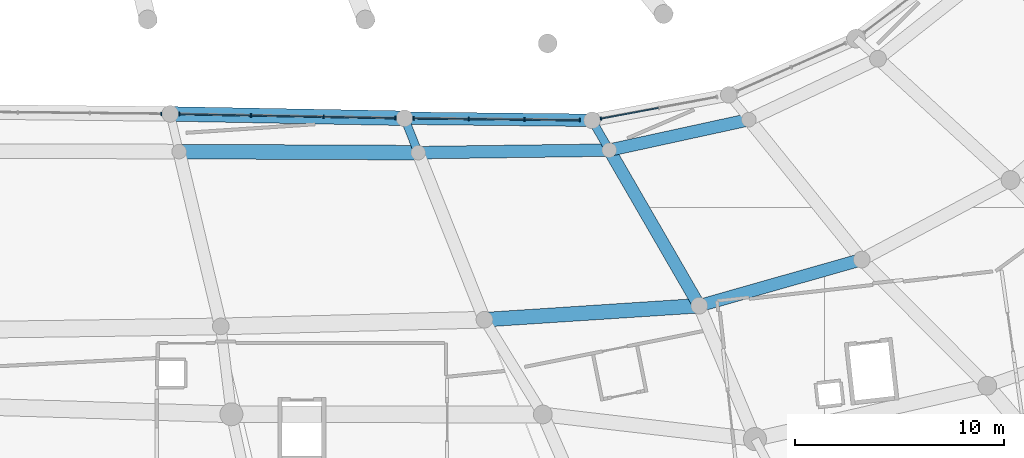
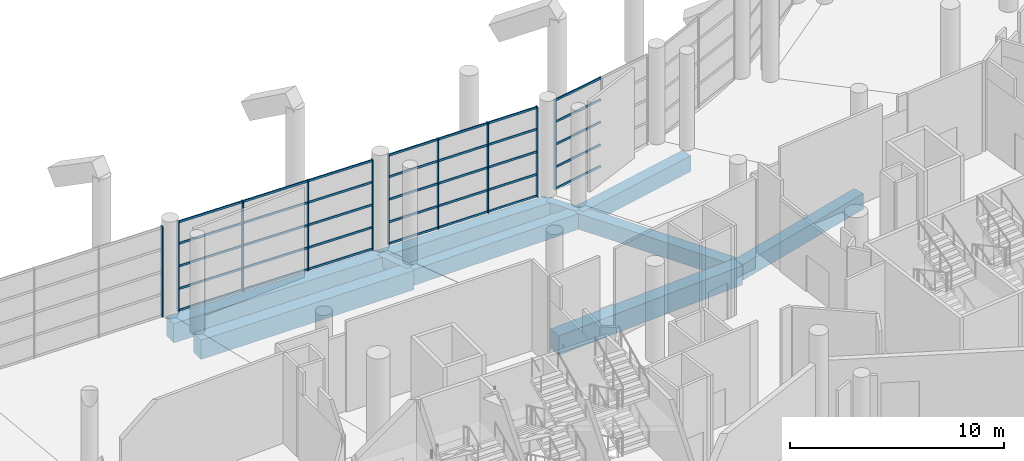
# One storey, part 44 of 271: 45 members, 10 beams, 4 elements without a shape of their own.
"""IFC4 building model written with IfcOpenShell, lengths in metres."""

from ifc_helpers import new_model, si_unit, direction, frame, origin, origin_2d, place, context, subcontext, project, spatial, rectangle, extrude, material, layer, layer_set, material_profile, profile_set, type_object, element, aggregate, save


model = new_model("IFC4")

# Units and contexts
model_context = context("Model", 3, precision=1e-05, world=origin(), true_north=direction((0.0, 1.0)))
body_context = subcontext(model_context, "Body", "Model", "MODEL_VIEW")
ifc_project = project(units=[si_unit("LENGTHUNIT", "METRE"), si_unit("AREAUNIT", "SQUARE_METRE"), si_unit("VOLUMEUNIT", "CUBIC_METRE"), si_unit("PLANEANGLEUNIT", "RADIAN"), si_unit("MASSUNIT", "GRAM", prefix="KILO")], contexts=[model_context])

# Site, building, storey
site_placement = place(None, origin())
site = spatial("IfcSite", under=ifc_project, at=site_placement, CompositionType="ELEMENT")
building_placement = place(site_placement, origin())
building = spatial("IfcBuilding", under=site, at=building_placement, Name="Meseta Stadium", CompositionType="ELEMENT")
storey_placement = place(building_placement, frame((0.0, 0.0, 6.5)))
storey = spatial("IfcBuildingStorey", under=building, at=storey_placement, Name="L01", CompositionType="ELEMENT", Elevation=6.5)

# Curtain wall, member
ifc_material_1 = material(Name="Aluminium", Category="aluminium")
ifc_layer = layer(ifc_material_1, 0.199951171875)
ifc_layer_set = layer_set([ifc_layer], Name="Club glazing curtain wall")
curtain_wall_type = type_object("IfcCurtainWallType", Name="Club glazing curtain wall", PredefinedType="NOTDEFINED", material=ifc_layer_set)
curtain_wall_1_placement = place(storey_placement, origin())
curtain_wall_1 = element("IfcCurtainWall", 1, at=curtain_wall_1_placement, inside=storey, type_object=curtain_wall_type, Name="Club glazing bay 47", PredefinedType="NOTDEFINED")
ifc_material_2 = material(Name="Aluminium", Category="aluminium")
ifc_material_profile_1 = material_profile(ifc_material_2, rectangle(XDim=0.159912109375, YDim=0.06005859375, at=origin_2d()), Name="CW 160x60")
ifc_profile_set_1 = profile_set([ifc_material_profile_1], Name="Aluminium")
member_type_1 = type_object("IfcMemberType", Name="CW mullion 60x160", PredefinedType="MULLION", material=ifc_profile_set_1)
member_1_placement = place(storey_placement, frame((16.267578125, -75.52490234375, 0.0), z_axis=(0.0, 0.0, 1.0), x_axis=(0.010278991253, 0.999947169774, 0.0)))
member_1 = element("IfcMember", 2, at=member_1_placement, type_object=member_type_1, Name="CWC mullion 4", PredefinedType="MULLION", context=body_context, shape_type="SweptSolid", body=[
    extrude(rectangle(XDim=0.159912109375, YDim=0.06005859375, at=origin_2d()), origin(), (0.0, 0.0, 1.0), 5.14990234375),
])
aggregate(curtain_wall_1, [member_1])

# Curtain wall, members
curtain_wall_2_placement = place(storey_placement, origin())
curtain_wall_2 = element("IfcCurtainWall", 3, at=curtain_wall_2_placement, inside=storey, type_object=curtain_wall_type, Name="Club glazing bay 48", PredefinedType="NOTDEFINED")
member_2_placement = place(storey_placement, frame((17.127197265625, -75.537353515625, 0.0), z_axis=(0.0, 0.0, 1.0), x_axis=(0.018383858671, 0.99983100259, 0.0)))
member_2 = element("IfcMember", 4, at=member_2_placement, type_object=member_type_1, Name="CWC mullion 1", PredefinedType="MULLION", context=body_context, shape_type="SweptSolid", body=[
    extrude(rectangle(XDim=0.159912109375, YDim=0.06005859375, at=origin_2d()), origin(), (0.0, 0.0, 1.0), 5.14990234375),
])
member_3_placement = place(storey_placement, frame((20.568603515625, -75.6005859375, 0.0), z_axis=(0.0, 0.0, 1.0), x_axis=(0.018383858671, 0.99983100259, 0.0)))
member_3 = element("IfcMember", 5, at=member_3_placement, type_object=member_type_1, Name="CWC mullion 2", PredefinedType="MULLION", context=body_context, shape_type="SweptSolid", body=[
    extrude(rectangle(XDim=0.159912109375, YDim=0.06005859375, at=origin_2d()), origin(), (0.0, 0.0, 1.0), 5.14990234375),
])
member_4_placement = place(storey_placement, frame((24.0400390625, -75.66455078125, 0.0), z_axis=(0.0, 0.0, 1.0), x_axis=(0.018383858671, 0.99983100259, 0.0)))
member_4 = element("IfcMember", 6, at=member_4_placement, type_object=member_type_1, Name="CWC mullion 3", PredefinedType="MULLION", context=body_context, shape_type="SweptSolid", body=[
    extrude(rectangle(XDim=0.159912109375, YDim=0.06005859375, at=origin_2d()), origin(), (0.0, 0.0, 1.0), 5.14990234375),
])
member_5_placement = place(storey_placement, frame((27.4814453125, -75.727783203125, 0.0), z_axis=(0.0, 0.0, 1.0), x_axis=(0.018383858671, 0.99983100259, 0.0)))
member_5 = element("IfcMember", 7, at=member_5_placement, type_object=member_type_1, Name="CWC mullion 4", PredefinedType="MULLION", context=body_context, shape_type="SweptSolid", body=[
    extrude(rectangle(XDim=0.159912109375, YDim=0.06005859375, at=origin_2d()), origin(), (0.0, 0.0, 1.0), 5.14990234375),
])

curtain_wall_3_placement = place(storey_placement, origin())
curtain_wall_3 = element("IfcCurtainWall", 8, at=curtain_wall_3_placement, inside=storey, type_object=curtain_wall_type, Name="Club glazing bay 49", PredefinedType="NOTDEFINED")
member_6_placement = place(storey_placement, frame((28.3408203125, -75.740234375, 0.0), z_axis=(0.0, 0.0, 1.0), x_axis=(0.010842515481, 0.999941218201, 0.0)))
member_6 = element("IfcMember", 9, at=member_6_placement, type_object=member_type_1, Name="CWC mullion 1", PredefinedType="MULLION", context=body_context, shape_type="SweptSolid", body=[
    extrude(rectangle(XDim=0.159912109375, YDim=0.06005859375, at=origin_2d()), origin(), (0.0, 0.0, 1.0), 5.14990234375),
])
member_7_placement = place(storey_placement, frame((30.983642578125, -75.76904296875, 0.0), z_axis=(0.0, 0.0, 1.0), x_axis=(0.010842515481, 0.999941218201, 0.0)))
member_7 = element("IfcMember", 10, at=member_7_placement, type_object=member_type_1, Name="CWC mullion 2", PredefinedType="MULLION", context=body_context, shape_type="SweptSolid", body=[
    extrude(rectangle(XDim=0.159912109375, YDim=0.06005859375, at=origin_2d()), origin(), (0.0, 0.0, 1.0), 5.14990234375),
])
member_8_placement = place(storey_placement, frame((33.656494140625, -75.7978515625, 0.0), z_axis=(0.0, 0.0, 1.0), x_axis=(0.010842515481, 0.999941218201, 0.0)))
member_8 = element("IfcMember", 11, at=member_8_placement, type_object=member_type_1, Name="CWC mullion 3", PredefinedType="MULLION", context=body_context, shape_type="SweptSolid", body=[
    extrude(rectangle(XDim=0.159912109375, YDim=0.06005859375, at=origin_2d()), origin(), (0.0, 0.0, 1.0), 5.14990234375),
])
member_9_placement = place(storey_placement, frame((36.29931640625, -75.82666015625, 0.0), z_axis=(0.0, 0.0, 1.0), x_axis=(0.010842515481, 0.999941218201, 0.0)))
member_9 = element("IfcMember", 12, at=member_9_placement, type_object=member_type_1, Name="CWC mullion 4", PredefinedType="MULLION", context=body_context, shape_type="SweptSolid", body=[
    extrude(rectangle(XDim=0.159912109375, YDim=0.06005859375, at=origin_2d()), origin(), (0.0, 0.0, 1.0), 5.14990234375),
])

# Curtain wall, member
curtain_wall_4_placement = place(storey_placement, origin())
curtain_wall_4 = element("IfcCurtainWall", 13, at=curtain_wall_4_placement, inside=storey, type_object=curtain_wall_type, Name="Club glazing bay 50", PredefinedType="NOTDEFINED")
member_10_placement = place(storey_placement, frame((37.308349609375, -75.75439453125, 0.0), z_axis=(0.0, 0.0, 1.0), x_axis=(-0.182600324962, 0.983187225977, 0.0)))
member_10 = element("IfcMember", 14, at=member_10_placement, type_object=member_type_1, Name="CWC mullion 1", PredefinedType="MULLION", context=body_context, shape_type="SweptSolid", body=[
    extrude(rectangle(XDim=0.159912109375, YDim=0.06005859375, at=origin_2d()), origin(), (0.0, 0.0, 1.0), 5.14990234375),
])

# Member
ifc_material_3 = material(Name="Aluminium", Category="aluminium")
ifc_material_profile_2 = material_profile(ifc_material_3, rectangle(XDim=0.06005859375, YDim=0.1201171875, at=origin_2d()), Name="CW 60x120")
ifc_profile_set_2 = profile_set([ifc_material_profile_2], Name="Aluminium")
member_type_2 = type_object("IfcMemberType", Name="CW transom 60x120", PredefinedType="USERDEFINED", material=ifc_profile_set_2)
member_11_placement = place(storey_placement, frame((17.1572265625, -75.537841796875, 0.06005859375), z_axis=(0.99983055045, -0.018408432517, 0.0), x_axis=(0.018408432517, 0.99983055045, 0.0)))
member_11 = element("IfcMember", 15, at=member_11_placement, type_object=member_type_2, Name="CWC transom 1.1", ObjectType="TRANSOM", PredefinedType="USERDEFINED", context=body_context, shape_type="SweptSolid", body=[
    extrude(rectangle(XDim=0.06005859375, YDim=0.1201171875, at=origin_2d()), origin(), (0.0, 0.0, 1.0), 3.3818359375),
])

member_12_placement = place(storey_placement, frame((17.1572265625, -75.537841796875, 1.28759765625), z_axis=(0.99983055045, -0.018408432517, 0.0), x_axis=(0.018408432517, 0.99983055045, 0.0)))
member_12 = element("IfcMember", 16, at=member_12_placement, type_object=member_type_2, Name="CWC transom 1.2", ObjectType="TRANSOM", PredefinedType="USERDEFINED", context=body_context, shape_type="SweptSolid", body=[
    extrude(rectangle(XDim=0.06005859375, YDim=0.1201171875, at=origin_2d()), origin(), (0.0, 0.0, 1.0), 3.3818359375),
])

member_13_placement = place(storey_placement, frame((17.1572265625, -75.537841796875, 2.574951171875), z_axis=(0.99983055045, -0.018408432517, 0.0), x_axis=(0.018408432517, 0.99983055045, 0.0)))
member_13 = element("IfcMember", 17, at=member_13_placement, type_object=member_type_2, Name="CWC transom 1.3", ObjectType="TRANSOM", PredefinedType="USERDEFINED", context=body_context, shape_type="SweptSolid", body=[
    extrude(rectangle(XDim=0.06005859375, YDim=0.1201171875, at=origin_2d()), origin(), (0.0, 0.0, 1.0), 3.3818359375),
])

member_14_placement = place(storey_placement, frame((17.1572265625, -75.537841796875, 3.862548828125), z_axis=(0.99983055045, -0.018408432517, 0.0), x_axis=(0.018408432517, 0.99983055045, 0.0)))
member_14 = element("IfcMember", 18, at=member_14_placement, type_object=member_type_2, Name="CWC transom 1.4", ObjectType="TRANSOM", PredefinedType="USERDEFINED", context=body_context, shape_type="SweptSolid", body=[
    extrude(rectangle(XDim=0.06005859375, YDim=0.1201171875, at=origin_2d()), origin(), (0.0, 0.0, 1.0), 3.3818359375),
])

member_15_placement = place(storey_placement, frame((17.1572265625, -75.537841796875, 5.090087890625), z_axis=(0.99983055045, -0.018408432517, 0.0), x_axis=(0.018408432517, 0.99983055045, 0.0)))
member_15 = element("IfcMember", 19, at=member_15_placement, type_object=member_type_2, Name="CWC transom 1.5", ObjectType="TRANSOM", PredefinedType="USERDEFINED", context=body_context, shape_type="SweptSolid", body=[
    extrude(rectangle(XDim=0.06005859375, YDim=0.1201171875, at=origin_2d()), origin(), (0.0, 0.0, 1.0), 3.3818359375),
])

member_16_placement = place(storey_placement, frame((20.5986328125, -75.60107421875, 0.06005859375), z_axis=(0.999830898772, -0.018389504114, 0.0), x_axis=(0.018389504114, 0.999830898772, 0.0)))
member_16 = element("IfcMember", 20, at=member_16_placement, type_object=member_type_2, Name="CWC transom 2.1", ObjectType="TRANSOM", PredefinedType="USERDEFINED", context=body_context, shape_type="SweptSolid", body=[
    extrude(rectangle(XDim=0.06005859375, YDim=0.1201171875, at=origin_2d()), origin(), (0.0, 0.0, 1.0), 3.411865234375),
])

member_17_placement = place(storey_placement, frame((20.5986328125, -75.60107421875, 1.28759765625), z_axis=(0.999830898772, -0.018389504114, 0.0), x_axis=(0.018389504114, 0.999830898772, 0.0)))
member_17 = element("IfcMember", 21, at=member_17_placement, type_object=member_type_2, Name="CWC transom 2.2", ObjectType="TRANSOM", PredefinedType="USERDEFINED", context=body_context, shape_type="SweptSolid", body=[
    extrude(rectangle(XDim=0.06005859375, YDim=0.1201171875, at=origin_2d()), origin(), (0.0, 0.0, 1.0), 3.411865234375),
])

member_18_placement = place(storey_placement, frame((20.5986328125, -75.60107421875, 2.574951171875), z_axis=(0.999830898772, -0.018389504114, 0.0), x_axis=(0.018389504114, 0.999830898772, 0.0)))
member_18 = element("IfcMember", 22, at=member_18_placement, type_object=member_type_2, Name="CWC transom 2.3", ObjectType="TRANSOM", PredefinedType="USERDEFINED", context=body_context, shape_type="SweptSolid", body=[
    extrude(rectangle(XDim=0.06005859375, YDim=0.1201171875, at=origin_2d()), origin(), (0.0, 0.0, 1.0), 3.411865234375),
])

member_19_placement = place(storey_placement, frame((20.5986328125, -75.60107421875, 3.862548828125), z_axis=(0.999830898772, -0.018389504114, 0.0), x_axis=(0.018389504114, 0.999830898772, 0.0)))
member_19 = element("IfcMember", 23, at=member_19_placement, type_object=member_type_2, Name="CWC transom 2.4", ObjectType="TRANSOM", PredefinedType="USERDEFINED", context=body_context, shape_type="SweptSolid", body=[
    extrude(rectangle(XDim=0.06005859375, YDim=0.1201171875, at=origin_2d()), origin(), (0.0, 0.0, 1.0), 3.411865234375),
])

member_20_placement = place(storey_placement, frame((20.5986328125, -75.60107421875, 5.090087890625), z_axis=(0.999830898772, -0.018389504114, 0.0), x_axis=(0.018389504114, 0.999830898772, 0.0)))
member_20 = element("IfcMember", 24, at=member_20_placement, type_object=member_type_2, Name="CWC transom 2.5", ObjectType="TRANSOM", PredefinedType="USERDEFINED", context=body_context, shape_type="SweptSolid", body=[
    extrude(rectangle(XDim=0.06005859375, YDim=0.1201171875, at=origin_2d()), origin(), (0.0, 0.0, 1.0), 3.411865234375),
])

member_21_placement = place(storey_placement, frame((24.06982421875, -75.6650390625, 0.06005859375), z_axis=(0.99983057491, -0.018407103935, 0.0), x_axis=(0.018407103935, 0.99983057491, 0.0)))
member_21 = element("IfcMember", 25, at=member_21_placement, type_object=member_type_2, Name="CWC transom 3.1", ObjectType="TRANSOM", PredefinedType="USERDEFINED", context=body_context, shape_type="SweptSolid", body=[
    extrude(rectangle(XDim=0.06005859375, YDim=0.1201171875, at=origin_2d()), origin(), (0.0, 0.0, 1.0), 3.382080078125),
])

member_22_placement = place(storey_placement, frame((24.06982421875, -75.6650390625, 1.28759765625), z_axis=(0.99983057491, -0.018407103935, 0.0), x_axis=(0.018407103935, 0.99983057491, 0.0)))
member_22 = element("IfcMember", 26, at=member_22_placement, type_object=member_type_2, Name="CWC transom 3.2", ObjectType="TRANSOM", PredefinedType="USERDEFINED", context=body_context, shape_type="SweptSolid", body=[
    extrude(rectangle(XDim=0.06005859375, YDim=0.1201171875, at=origin_2d()), origin(), (0.0, 0.0, 1.0), 3.382080078125),
])

member_23_placement = place(storey_placement, frame((24.06982421875, -75.6650390625, 2.574951171875), z_axis=(0.99983057491, -0.018407103935, 0.0), x_axis=(0.018407103935, 0.99983057491, 0.0)))
member_23 = element("IfcMember", 27, at=member_23_placement, type_object=member_type_2, Name="CWC transom 3.3", ObjectType="TRANSOM", PredefinedType="USERDEFINED", context=body_context, shape_type="SweptSolid", body=[
    extrude(rectangle(XDim=0.06005859375, YDim=0.1201171875, at=origin_2d()), origin(), (0.0, 0.0, 1.0), 3.382080078125),
])

member_24_placement = place(storey_placement, frame((24.06982421875, -75.6650390625, 3.862548828125), z_axis=(0.99983057491, -0.018407103935, 0.0), x_axis=(0.018407103935, 0.99983057491, 0.0)))
member_24 = element("IfcMember", 28, at=member_24_placement, type_object=member_type_2, Name="CWC transom 3.4", ObjectType="TRANSOM", PredefinedType="USERDEFINED", context=body_context, shape_type="SweptSolid", body=[
    extrude(rectangle(XDim=0.06005859375, YDim=0.1201171875, at=origin_2d()), origin(), (0.0, 0.0, 1.0), 3.382080078125),
])

member_25_placement = place(storey_placement, frame((24.06982421875, -75.6650390625, 5.090087890625), z_axis=(0.99983057491, -0.018407103935, 0.0), x_axis=(0.018407103935, 0.99983057491, 0.0)))
member_25 = element("IfcMember", 29, at=member_25_placement, type_object=member_type_2, Name="CWC transom 3.5", ObjectType="TRANSOM", PredefinedType="USERDEFINED", context=body_context, shape_type="SweptSolid", body=[
    extrude(rectangle(XDim=0.06005859375, YDim=0.1201171875, at=origin_2d()), origin(), (0.0, 0.0, 1.0), 3.382080078125),
])

aggregate(curtain_wall_2, [member_2, member_3, member_4, member_5, member_11, member_12, member_13, member_14, member_15, member_16, member_17, member_18, member_19, member_20, member_21, member_22, member_23, member_24, member_25])

member_26_placement = place(storey_placement, frame((28.370849609375, -75.74072265625, 0.06005859375), z_axis=(0.999941943259, -0.010775440167, 0.0), x_axis=(0.010775440167, 0.999941943259, 0.0)))
member_26 = element("IfcMember", 30, at=member_26_placement, type_object=member_type_2, Name="CWC transom 1.1", ObjectType="TRANSOM", PredefinedType="USERDEFINED", context=body_context, shape_type="SweptSolid", body=[
    extrude(rectangle(XDim=0.06005859375, YDim=0.1201171875, at=origin_2d()), origin(), (0.0, 0.0, 1.0), 2.5830078125),
])

member_27_placement = place(storey_placement, frame((28.370849609375, -75.74072265625, 1.28759765625), z_axis=(0.999941943259, -0.010775440167, 0.0), x_axis=(0.010775440167, 0.999941943259, 0.0)))
member_27 = element("IfcMember", 31, at=member_27_placement, type_object=member_type_2, Name="CWC transom 1.2", ObjectType="TRANSOM", PredefinedType="USERDEFINED", context=body_context, shape_type="SweptSolid", body=[
    extrude(rectangle(XDim=0.06005859375, YDim=0.1201171875, at=origin_2d()), origin(), (0.0, 0.0, 1.0), 2.5830078125),
])

member_28_placement = place(storey_placement, frame((28.370849609375, -75.74072265625, 2.574951171875), z_axis=(0.999941943259, -0.010775440167, 0.0), x_axis=(0.010775440167, 0.999941943259, 0.0)))
member_28 = element("IfcMember", 32, at=member_28_placement, type_object=member_type_2, Name="CWC transom 1.3", ObjectType="TRANSOM", PredefinedType="USERDEFINED", context=body_context, shape_type="SweptSolid", body=[
    extrude(rectangle(XDim=0.06005859375, YDim=0.1201171875, at=origin_2d()), origin(), (0.0, 0.0, 1.0), 2.5830078125),
])

member_29_placement = place(storey_placement, frame((28.370849609375, -75.74072265625, 3.862548828125), z_axis=(0.999941943259, -0.010775440167, 0.0), x_axis=(0.010775440167, 0.999941943259, 0.0)))
member_29 = element("IfcMember", 33, at=member_29_placement, type_object=member_type_2, Name="CWC transom 1.4", ObjectType="TRANSOM", PredefinedType="USERDEFINED", context=body_context, shape_type="SweptSolid", body=[
    extrude(rectangle(XDim=0.06005859375, YDim=0.1201171875, at=origin_2d()), origin(), (0.0, 0.0, 1.0), 2.5830078125),
])

member_30_placement = place(storey_placement, frame((28.370849609375, -75.74072265625, 5.090087890625), z_axis=(0.999941943259, -0.010775440167, 0.0), x_axis=(0.010775440167, 0.999941943259, 0.0)))
member_30 = element("IfcMember", 34, at=member_30_placement, type_object=member_type_2, Name="CWC transom 1.5", ObjectType="TRANSOM", PredefinedType="USERDEFINED", context=body_context, shape_type="SweptSolid", body=[
    extrude(rectangle(XDim=0.06005859375, YDim=0.1201171875, at=origin_2d()), origin(), (0.0, 0.0, 1.0), 2.5830078125),
])

member_31_placement = place(storey_placement, frame((31.013671875, -75.769287109375, 0.06005859375), z_axis=(0.99994126218, -0.010838458831, 0.0), x_axis=(0.010838458831, 0.99994126218, 0.0)))
member_31 = element("IfcMember", 35, at=member_31_placement, type_object=member_type_2, Name="CWC transom 2.1", ObjectType="TRANSOM", PredefinedType="USERDEFINED", context=body_context, shape_type="SweptSolid", body=[
    extrude(rectangle(XDim=0.06005859375, YDim=0.1201171875, at=origin_2d()), origin(), (0.0, 0.0, 1.0), 2.613037109375),
])

member_32_placement = place(storey_placement, frame((31.013671875, -75.769287109375, 1.28759765625), z_axis=(0.99994126218, -0.010838458831, 0.0), x_axis=(0.010838458831, 0.99994126218, 0.0)))
member_32 = element("IfcMember", 36, at=member_32_placement, type_object=member_type_2, Name="CWC transom 2.2", ObjectType="TRANSOM", PredefinedType="USERDEFINED", context=body_context, shape_type="SweptSolid", body=[
    extrude(rectangle(XDim=0.06005859375, YDim=0.1201171875, at=origin_2d()), origin(), (0.0, 0.0, 1.0), 2.613037109375),
])

member_33_placement = place(storey_placement, frame((31.013671875, -75.769287109375, 2.574951171875), z_axis=(0.99994126218, -0.010838458831, 0.0), x_axis=(0.010838458831, 0.99994126218, 0.0)))
member_33 = element("IfcMember", 37, at=member_33_placement, type_object=member_type_2, Name="CWC transom 2.3", ObjectType="TRANSOM", PredefinedType="USERDEFINED", context=body_context, shape_type="SweptSolid", body=[
    extrude(rectangle(XDim=0.06005859375, YDim=0.1201171875, at=origin_2d()), origin(), (0.0, 0.0, 1.0), 2.613037109375),
])

member_34_placement = place(storey_placement, frame((31.013671875, -75.769287109375, 3.862548828125), z_axis=(0.99994126218, -0.010838458831, 0.0), x_axis=(0.010838458831, 0.99994126218, 0.0)))
member_34 = element("IfcMember", 38, at=member_34_placement, type_object=member_type_2, Name="CWC transom 2.4", ObjectType="TRANSOM", PredefinedType="USERDEFINED", context=body_context, shape_type="SweptSolid", body=[
    extrude(rectangle(XDim=0.06005859375, YDim=0.1201171875, at=origin_2d()), origin(), (0.0, 0.0, 1.0), 2.613037109375),
])

member_35_placement = place(storey_placement, frame((31.013671875, -75.769287109375, 5.090087890625), z_axis=(0.99994126218, -0.010838458831, 0.0), x_axis=(0.010838458831, 0.99994126218, 0.0)))
member_35 = element("IfcMember", 39, at=member_35_placement, type_object=member_type_2, Name="CWC transom 2.5", ObjectType="TRANSOM", PredefinedType="USERDEFINED", context=body_context, shape_type="SweptSolid", body=[
    extrude(rectangle(XDim=0.06005859375, YDim=0.1201171875, at=origin_2d()), origin(), (0.0, 0.0, 1.0), 2.613037109375),
])

member_36_placement = place(storey_placement, frame((33.6865234375, -75.79833984375, 0.06005859375), z_axis=(0.999941943259, -0.010775440167, 0.0), x_axis=(0.010775440167, 0.999941943259, 0.0)))
member_36 = element("IfcMember", 40, at=member_36_placement, type_object=member_type_2, Name="CWC transom 3.1", ObjectType="TRANSOM", PredefinedType="USERDEFINED", context=body_context, shape_type="SweptSolid", body=[
    extrude(rectangle(XDim=0.06005859375, YDim=0.1201171875, at=origin_2d()), origin(), (0.0, 0.0, 1.0), 2.5830078125),
])

member_37_placement = place(storey_placement, frame((33.6865234375, -75.79833984375, 1.28759765625), z_axis=(0.999941943259, -0.010775440167, 0.0), x_axis=(0.010775440167, 0.999941943259, 0.0)))
member_37 = element("IfcMember", 41, at=member_37_placement, type_object=member_type_2, Name="CWC transom 3.2", ObjectType="TRANSOM", PredefinedType="USERDEFINED", context=body_context, shape_type="SweptSolid", body=[
    extrude(rectangle(XDim=0.06005859375, YDim=0.1201171875, at=origin_2d()), origin(), (0.0, 0.0, 1.0), 2.5830078125),
])

member_38_placement = place(storey_placement, frame((33.6865234375, -75.79833984375, 2.574951171875), z_axis=(0.999941943259, -0.010775440167, 0.0), x_axis=(0.010775440167, 0.999941943259, 0.0)))
member_38 = element("IfcMember", 42, at=member_38_placement, type_object=member_type_2, Name="CWC transom 3.3", ObjectType="TRANSOM", PredefinedType="USERDEFINED", context=body_context, shape_type="SweptSolid", body=[
    extrude(rectangle(XDim=0.06005859375, YDim=0.1201171875, at=origin_2d()), origin(), (0.0, 0.0, 1.0), 2.5830078125),
])

member_39_placement = place(storey_placement, frame((33.6865234375, -75.79833984375, 3.862548828125), z_axis=(0.999941943259, -0.010775440167, 0.0), x_axis=(0.010775440167, 0.999941943259, 0.0)))
member_39 = element("IfcMember", 43, at=member_39_placement, type_object=member_type_2, Name="CWC transom 3.4", ObjectType="TRANSOM", PredefinedType="USERDEFINED", context=body_context, shape_type="SweptSolid", body=[
    extrude(rectangle(XDim=0.06005859375, YDim=0.1201171875, at=origin_2d()), origin(), (0.0, 0.0, 1.0), 2.5830078125),
])

member_40_placement = place(storey_placement, frame((33.6865234375, -75.79833984375, 5.090087890625), z_axis=(0.999941943259, -0.010775440167, 0.0), x_axis=(0.010775440167, 0.999941943259, 0.0)))
member_40 = element("IfcMember", 44, at=member_40_placement, type_object=member_type_2, Name="CWC transom 3.5", ObjectType="TRANSOM", PredefinedType="USERDEFINED", context=body_context, shape_type="SweptSolid", body=[
    extrude(rectangle(XDim=0.06005859375, YDim=0.1201171875, at=origin_2d()), origin(), (0.0, 0.0, 1.0), 2.5830078125),
])

aggregate(curtain_wall_3, [member_6, member_7, member_8, member_9, member_26, member_27, member_28, member_29, member_30, member_31, member_32, member_33, member_34, member_35, member_36, member_37, member_38, member_39, member_40])

member_41_placement = place(storey_placement, frame((37.337890625, -75.7490234375, 0.06005859375), z_axis=(0.983186472546, 0.182604381661, 0.0), x_axis=(-0.182604381661, 0.983186472546, 0.0)))
member_41 = element("IfcMember", 45, at=member_41_placement, type_object=member_type_2, Name="CWC transom 1.1", ObjectType="TRANSOM", PredefinedType="USERDEFINED", context=body_context, shape_type="SweptSolid", body=[
    extrude(rectangle(XDim=0.06005859375, YDim=0.1201171875, at=origin_2d()), origin(), (0.0, 0.0, 1.0), 2.766357421875),
])

member_42_placement = place(storey_placement, frame((37.337890625, -75.7490234375, 1.28759765625), z_axis=(0.983186472546, 0.182604381661, 0.0), x_axis=(-0.182604381661, 0.983186472546, 0.0)))
member_42 = element("IfcMember", 46, at=member_42_placement, type_object=member_type_2, Name="CWC transom 1.2", ObjectType="TRANSOM", PredefinedType="USERDEFINED", context=body_context, shape_type="SweptSolid", body=[
    extrude(rectangle(XDim=0.06005859375, YDim=0.1201171875, at=origin_2d()), origin(), (0.0, 0.0, 1.0), 2.766357421875),
])

member_43_placement = place(storey_placement, frame((37.337890625, -75.7490234375, 2.574951171875), z_axis=(0.983186472546, 0.182604381661, 0.0), x_axis=(-0.182604381661, 0.983186472546, 0.0)))
member_43 = element("IfcMember", 47, at=member_43_placement, type_object=member_type_2, Name="CWC transom 1.3", ObjectType="TRANSOM", PredefinedType="USERDEFINED", context=body_context, shape_type="SweptSolid", body=[
    extrude(rectangle(XDim=0.06005859375, YDim=0.1201171875, at=origin_2d()), origin(), (0.0, 0.0, 1.0), 2.766357421875),
])

member_44_placement = place(storey_placement, frame((37.337890625, -75.7490234375, 3.862548828125), z_axis=(0.983186472546, 0.182604381661, 0.0), x_axis=(-0.182604381661, 0.983186472546, 0.0)))
member_44 = element("IfcMember", 48, at=member_44_placement, type_object=member_type_2, Name="CWC transom 1.4", ObjectType="TRANSOM", PredefinedType="USERDEFINED", context=body_context, shape_type="SweptSolid", body=[
    extrude(rectangle(XDim=0.06005859375, YDim=0.1201171875, at=origin_2d()), origin(), (0.0, 0.0, 1.0), 2.766357421875),
])

member_45_placement = place(storey_placement, frame((37.337890625, -75.7490234375, 5.090087890625), z_axis=(0.983186472546, 0.182604381661, 0.0), x_axis=(-0.182604381661, 0.983186472546, 0.0)))
member_45 = element("IfcMember", 49, at=member_45_placement, type_object=member_type_2, Name="CWC transom 1.5", ObjectType="TRANSOM", PredefinedType="USERDEFINED", context=body_context, shape_type="SweptSolid", body=[
    extrude(rectangle(XDim=0.06005859375, YDim=0.1201171875, at=origin_2d()), origin(), (0.0, 0.0, 1.0), 2.766357421875),
])

aggregate(curtain_wall_4, [member_10, member_41, member_42, member_43, member_44, member_45])

# Beams
ifc_material_4 = material(Name="Concrete C40/50", Category="concrete")
ifc_material_profile_3 = material_profile(ifc_material_4, rectangle(XDim=0.39990234375, YDim=0.60009765625, at=origin_2d()), Name="RC 400x600")
ifc_profile_set_3 = profile_set([ifc_material_profile_3], Name="Concrete C40/50")
beam_type_1 = type_object("IfcBeamType", Name="RC beam 400x600", PredefinedType="BEAM", material=ifc_profile_set_3)
beam_1_placement = place(storey_placement, frame((27.910888671875, -75.735595703125, -0.64990234375), z_axis=(0.368824744702, -0.929498955188, 0.0), x_axis=(0.929498955188, 0.368824744702, 0.0)))
element("IfcBeam", 50, at=beam_1_placement, inside=storey, type_object=beam_type_1, Name="L01 radial beam frame 49 line C to D", PredefinedType="BEAM", context=body_context, shape_type="SweptSolid", body=[
    extrude(rectangle(XDim=0.39990234375, YDim=0.60009765625, at=origin_2d()), origin(), (0.0, 0.0, 1.0), 1.772705078125),
])
beam_2_placement = place(storey_placement, frame((36.885986328125, -75.8330078125, -0.64990234375), z_axis=(0.500371262739, -0.865810949009, 0.0), x_axis=(0.865810949009, 0.500371262739, 0.0)))
element("IfcBeam", 51, at=beam_2_placement, inside=storey, type_object=beam_type_1, Name="L01 radial beam frame 50 line C to D", PredefinedType="BEAM", context=body_context, shape_type="SweptSolid", body=[
    extrude(rectangle(XDim=0.39990234375, YDim=0.60009765625, at=origin_2d()), origin(), (0.0, 0.0, 1.0), 1.650146484375),
])
ifc_material_5 = material(Name="Concrete C40/50", Category="concrete")
ifc_material_profile_4 = material_profile(ifc_material_5, rectangle(XDim=0.60009765625, YDim=0.89990234375, at=origin_2d()), Name="RC 600x900")
ifc_profile_set_4 = profile_set([ifc_material_profile_4], Name="Concrete C40/50")
beam_type_2 = type_object("IfcBeamType", Name="RC beam 600x900", PredefinedType="BEAM", material=ifc_profile_set_4)
beam_3_placement = place(storey_placement, frame((27.910888671875, -75.735595703125, -0.800048828125), z_axis=(0.9999411049, -0.010852959601, 0.0), x_axis=(0.010852959601, 0.9999411049, 0.0)))
element("IfcBeam", 52, at=beam_3_placement, inside=storey, type_object=beam_type_2, Name="L01 ring beam frame 49 line C", PredefinedType="BEAM", context=body_context, shape_type="SweptSolid", body=[
    extrude(rectangle(XDim=0.60009765625, YDim=0.89990234375, at=origin_2d()), origin(), (0.0, 0.0, 1.0), 8.9755859375),
])
beam_4_placement = place(storey_placement, frame((28.564697265625, -77.38330078125, -0.800048828125), z_axis=(0.999911672388, 0.013290877405, 0.0), x_axis=(-0.013290877405, 0.999911672388, 0.0)))
element("IfcBeam", 53, at=beam_4_placement, inside=storey, type_object=beam_type_2, Name="L01 ring beam frame 49 line D", PredefinedType="BEAM", context=body_context, shape_type="SweptSolid", body=[
    extrude(rectangle(XDim=0.60009765625, YDim=0.89990234375, at=origin_2d()), origin(), (0.0, 0.0, 1.0), 9.147705078125),
])
beam_5_placement = place(storey_placement, frame((37.711669921875, -77.26171875, -0.800048828125), z_axis=(0.977068887475, 0.212923434899, 0.0), x_axis=(-0.212923434899, 0.977068887475, 0.0)))
element("IfcBeam", 54, at=beam_5_placement, inside=storey, type_object=beam_type_2, Name="L01 ring beam frame 50 line D", PredefinedType="BEAM", context=body_context, shape_type="SweptSolid", body=[
    extrude(rectangle(XDim=0.60009765625, YDim=0.89990234375, at=origin_2d()), origin(), (0.0, 0.0, 1.0), 6.8349609375),
])
beam_6_placement = place(storey_placement, frame((42.015380859375, -84.707275390625, -0.800048828125), z_axis=(0.961951325549, 0.273220876351, 0.0), x_axis=(-0.273220876351, 0.961951325549, 0.0)))
element("IfcBeam", 55, at=beam_6_placement, inside=storey, type_object=beam_type_2, Name="L01 ring beam frame 50 line E", PredefinedType="BEAM", context=body_context, shape_type="SweptSolid", body=[
    extrude(rectangle(XDim=0.60009765625, YDim=0.89990234375, at=origin_2d()), origin(), (0.0, 0.0, 1.0), 8.083251953125),
])
beam_7_placement = place(storey_placement, frame((37.711669921875, -77.26171875, -0.800048828125), z_axis=(0.500437453612, -0.865772692467, 0.0), x_axis=(0.865772692467, 0.500437453612, 0.0)))
element("IfcBeam", 56, at=beam_7_placement, inside=storey, type_object=beam_type_2, Name="L01 radial beam frame 50 line D to E", PredefinedType="BEAM", context=body_context, shape_type="SweptSolid", body=[
    extrude(rectangle(XDim=0.60009765625, YDim=0.89990234375, at=origin_2d()), origin(), (0.0, 0.0, 1.0), 8.599853515625),
])
ifc_material_6 = material(Name="Concrete C40/50", Category="concrete")
ifc_material_profile_5 = material_profile(ifc_material_6, rectangle(XDim=0.699951171875, YDim=1.10009765625, at=origin_2d()), Name="RC 700x1100")
ifc_profile_set_5 = profile_set([ifc_material_profile_5], Name="Concrete C40/50")
beam_type_3 = type_object("IfcBeamType", Name="RC beam 700x1100", PredefinedType="BEAM", material=ifc_profile_set_5)
beam_8_placement = place(storey_placement, frame((16.697509765625, -75.529296875, -0.89990234375), z_axis=(0.999830807814, -0.018394448783, 0.0), x_axis=(0.018394448783, 0.999830807814, 0.0)))
element("IfcBeam", 57, at=beam_8_placement, inside=storey, type_object=beam_type_3, Name="L01 ring beam frame 48 line C", PredefinedType="BEAM", context=body_context, shape_type="SweptSolid", body=[
    extrude(rectangle(XDim=0.699951171875, YDim=1.10009765625, at=origin_2d()), origin(), (0.0, 0.0, 1.0), 11.21533203125),
])
beam_9_placement = place(storey_placement, frame((17.126708984375, -77.33203125, -0.89990234375), z_axis=(0.999989954239, -0.004482345579, 0.0), x_axis=(0.004482345579, 0.999989954239, 0.0)))
element("IfcBeam", 58, at=beam_9_placement, inside=storey, type_object=beam_type_3, Name="L01 ring beam frame 48 line D", PredefinedType="BEAM", context=body_context, shape_type="SweptSolid", body=[
    extrude(rectangle(XDim=0.699951171875, YDim=1.10009765625, at=origin_2d()), origin(), (0.0, 0.0, 1.0), 11.43798828125),
])
beam_10_placement = place(storey_placement, frame((31.73681640625, -85.376708984375, -0.89990234375), z_axis=(0.997885824096, 0.064991399959, 0.0), x_axis=(-0.064991399959, 0.997885824096, 0.0)))
element("IfcBeam", 59, at=beam_10_placement, inside=storey, type_object=beam_type_3, Name="L01 ring beam frame 49 line E", PredefinedType="BEAM", context=body_context, shape_type="SweptSolid", body=[
    extrude(rectangle(XDim=0.699951171875, YDim=1.10009765625, at=origin_2d()), origin(), (0.0, 0.0, 1.0), 10.30029296875),
])

save(model, "model.ifc")
